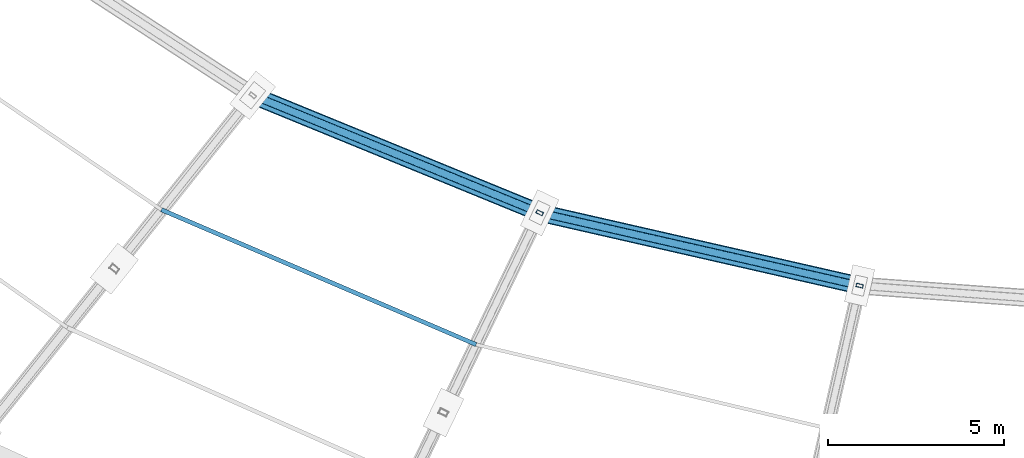
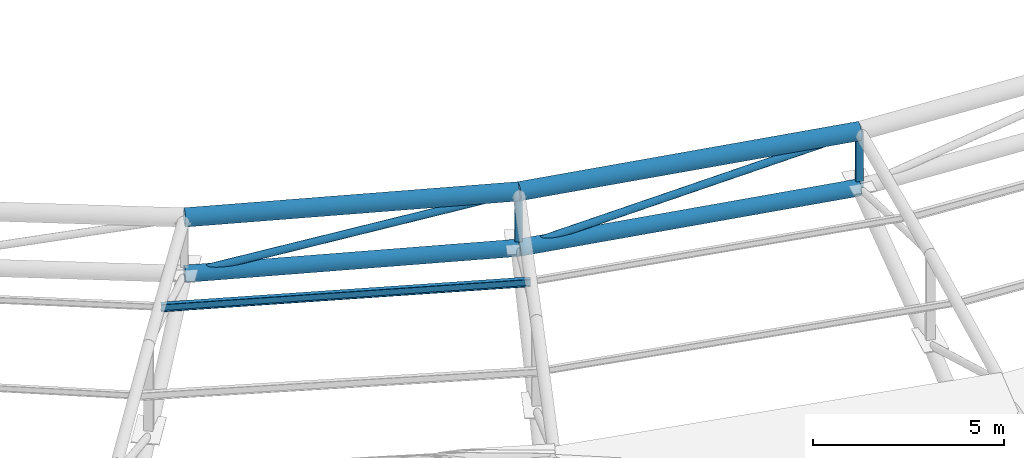
# One storey, part 23 of 108: 9 members.
"""IFC4 building model written with IfcOpenShell, lengths in metres."""

from ifc_helpers import new_model, si_unit, direction, frame, origin, origin_2d, place, context, subcontext, project, spatial, hollow_rectangle, hollow_circle, i_section, extrude, material, material_profile, profile_set, type_object, element, save


model = new_model("IFC4")

# Units and contexts
model_context = context("Model", 3, precision=1e-05, world=origin(), true_north=direction((0.0, 1.0)))
body_context = subcontext(model_context, "Body", "Model", "MODEL_VIEW")
ifc_project = project(units=[si_unit("LENGTHUNIT", "METRE"), si_unit("AREAUNIT", "SQUARE_METRE"), si_unit("VOLUMEUNIT", "CUBIC_METRE"), si_unit("PLANEANGLEUNIT", "RADIAN"), si_unit("MASSUNIT", "GRAM", prefix="KILO")], contexts=[model_context])

# Site, building, storey
site_placement = place(None, origin())
site = spatial("IfcSite", under=ifc_project, at=site_placement, CompositionType="ELEMENT")
building_placement = place(site_placement, origin())
building = spatial("IfcBuilding", under=site, at=building_placement, Name="Zevraka Park Crest Stadium", CompositionType="ELEMENT")
storey_placement = place(building_placement, frame((0.0, 0.0, 29.39990234375)))
storey = spatial("IfcBuildingStorey", under=building, at=storey_placement, Name="RF", CompositionType="ELEMENT", Elevation=29.39990234375)

# Members
ifc_material_1 = material(Name="Steel S355", Category="steel")
ifc_material_profile_1 = material_profile(ifc_material_1, i_section(OverallWidth=0.1201171875, OverallDepth=0.239990234375, WebThickness=0.006103515625, FlangeThickness=0.009765625, at=origin_2d()), Name="IPE 240")
ifc_profile_set_1 = profile_set([ifc_material_profile_1], Name="Steel S355")
member_type_1 = type_object("IfcMemberType", Name="PR01", PredefinedType="PURLIN", material=ifc_profile_set_1)
member_1_placement = place(storey_placement, frame((82.597900390625, 66.85791015625, 9.01708984375), z_axis=(0.919186567442, -0.393822363808, 0.0), x_axis=(0.393822363808, 0.919186567442, 0.0)))
element("IfcMember", 1, at=member_1_placement, inside=storey, type_object=member_type_1, Name="Canopy Roof Purlin PR01 INNER-19-2", PredefinedType="PURLIN", context=body_context, shape_type="SweptSolid", body=[
    extrude(i_section(OverallWidth=0.1201171875, OverallDepth=0.239990234375, WebThickness=0.006103515625, FlangeThickness=0.009765625, at=origin_2d()), origin(), (0.0, 0.0, 1.0), 9.727294921875),
])
ifc_material_2 = material(Name="Steel S355", Category="steel")
ifc_material_profile_2 = material_profile(ifc_material_2, hollow_circle(Radius=0.25390625, WallThickness=0.030029296875, at=origin_2d()), Name="CHS 508.0x30")
ifc_profile_set_2 = profile_set([ifc_material_profile_2], Name="Steel S355")
member_type_2 = type_object("IfcMemberType", Name="TC01", PredefinedType="CHORD", material=ifc_profile_set_2)
member_2_placement = place(storey_placement, frame((85.18994140625, 70.10888671875, 9.0), z_axis=(0.925523556588, -0.378690039743, 0.0), x_axis=(0.378690039743, 0.925523556588, 0.0)))
element("IfcMember", 2, at=member_2_placement, inside=storey, type_object=member_type_2, Name="Roof Inner Oculus Compression-Tension Ring TC01 19", PredefinedType="CHORD", context=body_context, shape_type="SweptSolid", body=[
    extrude(hollow_circle(Radius=0.25390625, WallThickness=0.030029296875, at=origin_2d()), origin(), (0.0, 0.0, 1.0), 8.80908203125),
])
member_3_placement = place(storey_placement, frame((93.343017578125, 66.77294921875, 9.0), z_axis=(0.975007666978, -0.222171216261, 0.0), x_axis=(0.222171216261, 0.975007666978, 0.0)))
element("IfcMember", 3, at=member_3_placement, inside=storey, type_object=member_type_2, Name="Roof Inner Oculus Compression-Tension Ring TC01 20", PredefinedType="CHORD", context=body_context, shape_type="SweptSolid", body=[
    extrude(hollow_circle(Radius=0.25390625, WallThickness=0.030029296875, at=origin_2d()), origin(), (0.0, 0.0, 1.0), 9.32177734375),
])
ifc_material_3 = material(Name="Steel S355", Category="steel")
ifc_material_profile_3 = material_profile(ifc_material_3, hollow_circle(Radius=0.228515625, WallThickness=0.02490234375, at=origin_2d()), Name="CHS 457.0x25")
ifc_profile_set_3 = profile_set([ifc_material_profile_3], Name="Steel S355")
member_type_3 = type_object("IfcMemberType", Name="TC02", PredefinedType="CHORD", material=ifc_profile_set_3)
member_4_placement = place(storey_placement, frame((85.18994140625, 70.10888671875, 7.2001953125), z_axis=(0.925523556588, -0.378690039743, 0.0), x_axis=(0.378690039743, 0.925523556588, 0.0)))
element("IfcMember", 4, at=member_4_placement, inside=storey, type_object=member_type_3, Name="Roof Inner Oculus Bottom Ring TC02 19", PredefinedType="CHORD", context=body_context, shape_type="SweptSolid", body=[
    extrude(hollow_circle(Radius=0.228515625, WallThickness=0.02490234375, at=origin_2d()), origin(), (0.0, 0.0, 1.0), 8.80908203125),
])
member_5_placement = place(storey_placement, frame((93.343017578125, 66.77294921875, 7.2001953125), z_axis=(0.975007666978, -0.222171216261, 0.0), x_axis=(0.222171216261, 0.975007666978, 0.0)))
element("IfcMember", 5, at=member_5_placement, inside=storey, type_object=member_type_3, Name="Roof Inner Oculus Bottom Ring TC02 20", PredefinedType="CHORD", context=body_context, shape_type="SweptSolid", body=[
    extrude(hollow_circle(Radius=0.228515625, WallThickness=0.02490234375, at=origin_2d()), origin(), (0.0, 0.0, 1.0), 9.32177734375),
])
ifc_material_4 = material(Name="Steel S355", Category="steel")
ifc_material_profile_4 = material_profile(ifc_material_4, hollow_circle(Radius=0.109619140625, WallThickness=0.010009765625, at=origin_2d()), Name="CHS 219.1x10")
ifc_profile_set_4 = profile_set([ifc_material_profile_4], Name="Steel S355")
member_type_4 = type_object("IfcMemberType", Name="WB02", PredefinedType="BRACE", material=ifc_profile_set_4)
member_6_placement = place(storey_placement, frame((85.18994140625, 70.10888671875, 7.2001953125), z_axis=(0.906790998807, -0.371025369298, 0.200175572487), x_axis=(0.378690039743, 0.925523556588, 0.0)))
element("IfcMember", 6, at=member_6_placement, inside=storey, type_object=member_type_4, Name="Roof Oculus Ring Brace WB02 19", PredefinedType="BRACE", context=body_context, shape_type="SweptSolid", body=[
    extrude(hollow_circle(Radius=0.109619140625, WallThickness=0.010009765625, at=origin_2d()), origin(), (0.0, 0.0, 1.0), 8.9912109375),
])
member_7_placement = place(storey_placement, frame((93.343017578125, 66.77294921875, 7.2001953125), z_axis=(0.957327517697, -0.218142509203, 0.189572860762), x_axis=(0.222171216261, 0.975007666978, 0.0)))
element("IfcMember", 7, at=member_7_placement, inside=storey, type_object=member_type_4, Name="Roof Oculus Ring Brace WB02 20", PredefinedType="BRACE", context=body_context, shape_type="SweptSolid", body=[
    extrude(hollow_circle(Radius=0.109619140625, WallThickness=0.010009765625, at=origin_2d()), origin(), (0.0, 0.0, 1.0), 9.493896484375),
])
ifc_material_5 = material(Name="Steel S355", Category="steel")
ifc_material_profile_5 = material_profile(ifc_material_5, hollow_rectangle(XDim=0.10009765625, YDim=0.199951171875, WallThickness=0.008056640625, at=origin_2d()), Name="RHS 200x100x8")
ifc_profile_set_5 = profile_set([ifc_material_profile_5], Name="Steel S355")
member_type_5 = type_object("IfcMemberType", Name="WB05", PredefinedType="BRACE", material=ifc_profile_set_5)
for number, where, z_axis, x_axis, name in (
    (8, (93.343017578125, 66.77294921875, 7.2001953125), (0.0, 0.0, 1.0), (0.43381634559, 0.90100131981, 0.0), "Roof Truss Web Post WB05 T20-7"),
    (9, (102.431884765625, 64.701904296875, 7.2001953125), (0.0, 0.0, 1.0), (0.222569549971, 0.974916814618, 0.0), "Roof Truss Web Post WB05 T21-7"),
):
    element("IfcMember", number, at=place(storey_placement, frame(where, z_axis=z_axis, x_axis=x_axis)), inside=storey, type_object=member_type_5, Name=name, PredefinedType="BRACE", context=body_context, shape_type="SweptSolid", body=[
        extrude(hollow_rectangle(XDim=0.10009765625, YDim=0.199951171875, WallThickness=0.008056640625, at=origin_2d()), origin(), (0.0, 0.0, 1.0), 1.7998046875),
    ])

save(model, "model.ifc")
